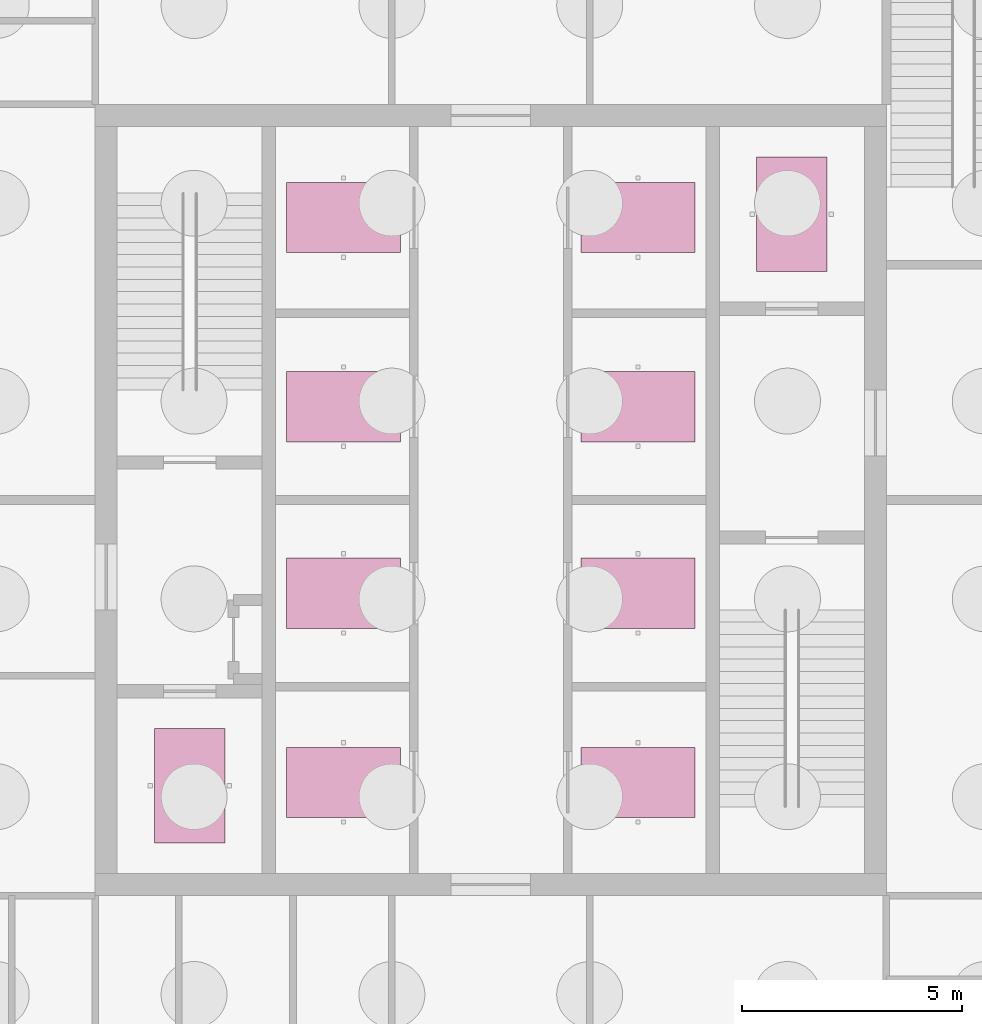
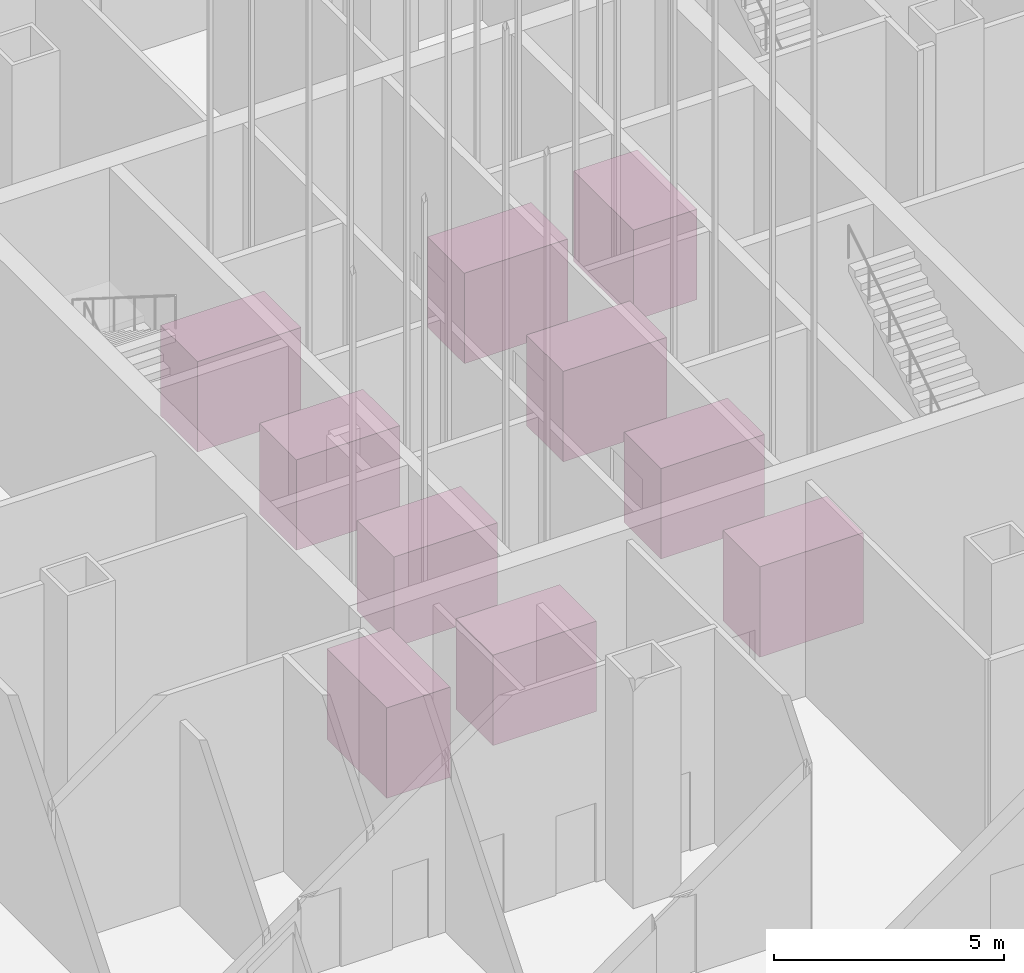
# One storey, part 16 of 36: 10 transport elements.
"""IFC4 building model written with IfcOpenShell, lengths in metres."""

from ifc_helpers import new_model, si_unit, direction, frame, origin, origin_2d, place, context, subcontext, project, spatial, rectangle, extrude, material, type_object, element, save


model = new_model("IFC4")

# Units and contexts
model_context = context("Model", 3, precision=1e-05, world=origin(), true_north=direction((0.0, 1.0)))
body_context = subcontext(model_context, "Body", "Model", "MODEL_VIEW")
ifc_project = project(units=[si_unit("LENGTHUNIT", "METRE"), si_unit("AREAUNIT", "SQUARE_METRE"), si_unit("VOLUMEUNIT", "CUBIC_METRE"), si_unit("PLANEANGLEUNIT", "RADIAN"), si_unit("MASSUNIT", "GRAM", prefix="KILO")], contexts=[model_context])

# Site, building, storey
site_placement = place(None, origin())
site = spatial("IfcSite", under=ifc_project, at=site_placement, CompositionType="ELEMENT")
building_placement = place(site_placement, origin())
building = spatial("IfcBuilding", under=site, at=building_placement, Name="Malebo Sky Hospital", CompositionType="ELEMENT")
storey_placement = place(building_placement, origin())
storey = spatial("IfcBuildingStorey", under=building, at=storey_placement, Name="L00", CompositionType="ELEMENT", Elevation=0.0)

# Transport elements
ifc_material = material(Name="Stainless steel lift car", Category="steel")
transport_element_type_1 = type_object("IfcTransportElementType", Name="FIRE-FIGHTING LIFT 2000 KG", PredefinedType="ELEVATOR", material=ifc_material)
for number, where, name in (
    (1, (53.14990234375, 55.5, 0.0), "Lift FL1"),
    (2, (66.85009765625, 68.5, 0.0), "Lift FL2"),
):
    element("IfcTransportElement", number, at=place(storey_placement, frame(where)), inside=storey, type_object=transport_element_type_1, Name=name, PredefinedType="ELEVATOR", context=body_context, shape_type="SweptSolid", body=[
        extrude(rectangle(XDim=1.60009765625, YDim=2.60009765625, at=origin_2d()), origin(), (0.0, 0.0, 1.0), 2.39990234375),
    ])
transport_element_type_2 = type_object("IfcTransportElementType", Name="PASSENGER LIFT 2000 KG", PredefinedType="ELEVATOR", material=ifc_material)
for number, where, name in (
    (3, (56.64990234375, 55.574951171875, 0.0), "Lift W1"),
    (4, (63.35009765625, 55.574951171875, 0.0), "Lift E1"),
    (5, (56.64990234375, 59.875, 0.0), "Lift W2"),
    (6, (63.35009765625, 59.875, 0.0), "Lift E2"),
    (7, (56.64990234375, 64.125, 0.0), "Lift W3"),
    (8, (63.35009765625, 64.125, 0.0), "Lift E3"),
    (9, (56.64990234375, 68.425048828125, 0.0), "Lift W4"),
    (10, (63.35009765625, 68.425048828125, 0.0), "Lift E4"),
):
    element("IfcTransportElement", number, at=place(storey_placement, frame(where)), inside=storey, type_object=transport_element_type_2, Name=name, PredefinedType="ELEVATOR", context=body_context, shape_type="SweptSolid", body=[
        extrude(rectangle(XDim=2.60009765625, YDim=1.60009765625, at=origin_2d()), origin(), (0.0, 0.0, 1.0), 2.39990234375),
    ])

save(model, "model.ifc")
